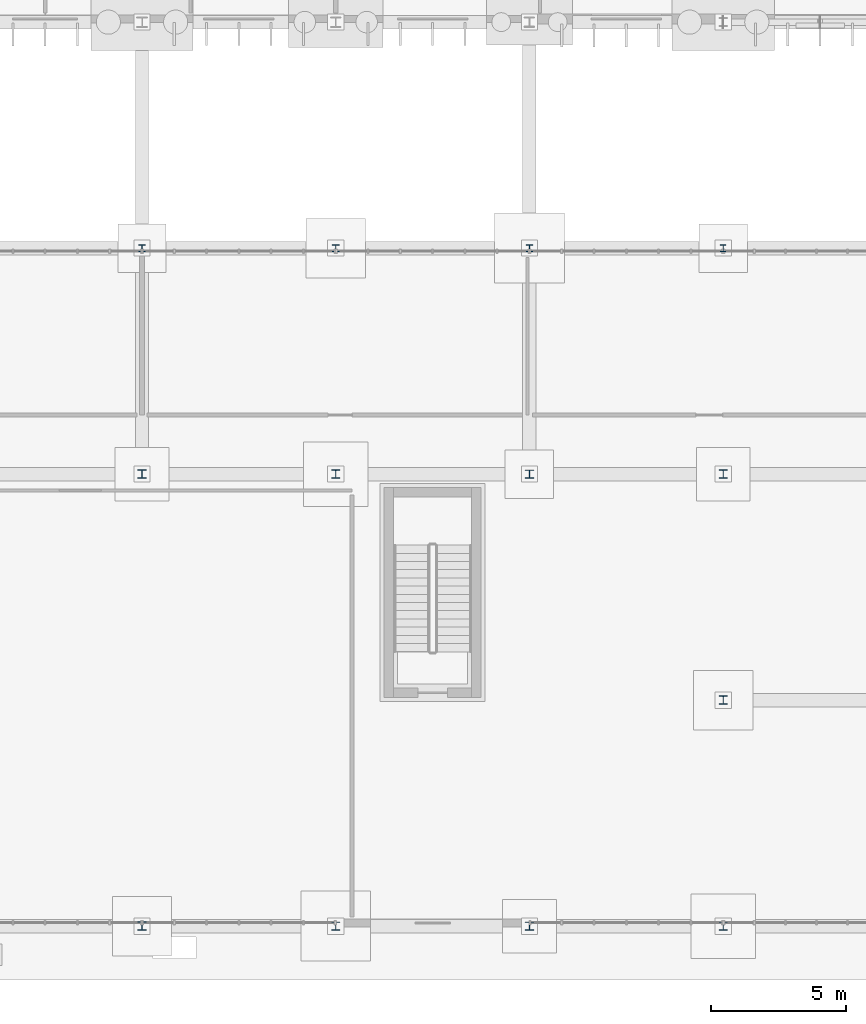
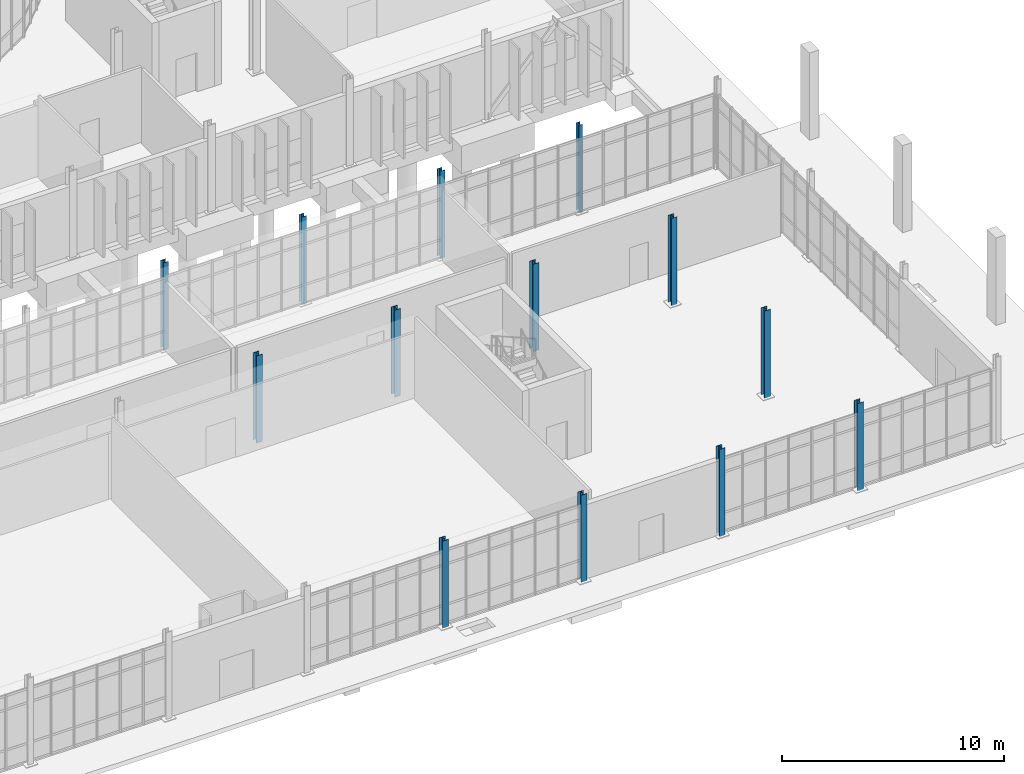
# One storey, part 25 of 118: 13 columns.
"""IFC4 building model written with IfcOpenShell, lengths in metres."""

from ifc_helpers import new_model, si_unit, direction, frame, origin, origin_2d, place, context, subcontext, project, spatial, i_section, extrude, material, material_profile, profile_set, type_object, element, save


model = new_model("IFC4")

# Units and contexts
model_context = context("Model", 3, precision=1e-05, world=origin(), true_north=direction((0.0, 1.0)))
body_context = subcontext(model_context, "Body", "Model", "MODEL_VIEW")
ifc_project = project(units=[si_unit("LENGTHUNIT", "METRE"), si_unit("AREAUNIT", "SQUARE_METRE"), si_unit("VOLUMEUNIT", "CUBIC_METRE"), si_unit("PLANEANGLEUNIT", "RADIAN"), si_unit("MASSUNIT", "GRAM", prefix="KILO")], contexts=[model_context])

# Site, building, storey
site_placement = place(None, origin())
site = spatial("IfcSite", under=ifc_project, at=site_placement, CompositionType="ELEMENT")
building_placement = place(site_placement, origin())
building = spatial("IfcBuilding", under=site, at=building_placement, Name="Qelthora Terrace Specialist Clinic", CompositionType="ELEMENT")
storey_placement = place(building_placement, origin())
storey = spatial("IfcBuildingStorey", under=building, at=storey_placement, Name="L00", CompositionType="ELEMENT", Elevation=0.0)

# Columns
ifc_material = material(Name="Steel S355", Category="steel")
ifc_material_profile_1 = material_profile(ifc_material, i_section(OverallWidth=0.2041015625, OverallDepth=0.257080078125, WebThickness=0.0087890625, FlangeThickness=0.015625, FilletRadius=0.012939453125, at=origin_2d()), Name="W250X67")
ifc_profile_set_1 = profile_set([ifc_material_profile_1], Name="Steel S355")
column_type_1 = type_object("IfcColumnType", Name="COL-W250X67", PredefinedType="COLUMN", material=ifc_profile_set_1)
column_placement = place(storey_placement, frame((151.199951171875, 25.199951171875, 0.0), z_axis=(0.0, 0.0, 1.0), x_axis=(1.0, 0.0, 0.0)))
element("IfcColumn", 1, at=column_placement, inside=storey, type_object=column_type_1, Name="Column L00-239", PredefinedType="COLUMN", context=body_context, shape_type="SweptSolid", body=[
    extrude(i_section(OverallWidth=0.2041015625, OverallDepth=0.257080078125, WebThickness=0.0087890625, FlangeThickness=0.015625, FilletRadius=0.012939453125, at=origin_2d()), origin(), (0.0, 0.0, 1.0), 4.800048828125),
])
ifc_material_profile_2 = material_profile(ifc_material, i_section(OverallWidth=0.2548828125, OverallDepth=0.256103515625, WebThickness=0.009521484375, FlangeThickness=0.015625, FilletRadius=0.012939453125, at=origin_2d()), Name="W250X80")
ifc_profile_set_2 = profile_set([ifc_material_profile_2], Name="Steel S355")
column_type_2 = type_object("IfcColumnType", Name="COL-W250X80", PredefinedType="COLUMN", material=ifc_profile_set_2)
for number, where, z_axis, x_axis, name in (
    (2, (129.60009765625, 25.199951171875, 0.0), (0.0, 0.0, 1.0), (1.0, 0.0, 0.0), "Column L00-209"),
    (3, (136.800048828125, 25.199951171875, 0.0), (0.0, 0.0, 1.0), (1.0, 0.0, 0.0), "Column L00-217"),
    (4, (144.0, 25.199951171875, 0.0), (0.0, 0.0, 1.0), (1.0, 0.0, 0.0), "Column L00-225"),
):
    element("IfcColumn", number, at=place(storey_placement, frame(where, z_axis=z_axis, x_axis=x_axis)), inside=storey, type_object=column_type_2, Name=name, PredefinedType="COLUMN", context=body_context, shape_type="SweptSolid", body=[
        extrude(i_section(OverallWidth=0.2548828125, OverallDepth=0.256103515625, WebThickness=0.009521484375, FlangeThickness=0.015625, FilletRadius=0.012939453125, at=origin_2d()), origin(), (0.0, 0.0, 1.0), 4.800048828125),
    ])
ifc_material_profile_3 = material_profile(ifc_material, i_section(OverallWidth=0.305908203125, OverallDepth=0.31103515625, WebThickness=0.010986328125, FlangeThickness=0.01708984375, FilletRadius=0.014892578125, at=origin_2d()), Name="W310X107")
ifc_profile_set_3 = profile_set([ifc_material_profile_3], Name="Steel S355")
column_type_3 = type_object("IfcColumnType", Name="COL-W310X107", PredefinedType="COLUMN", material=ifc_profile_set_3)
for number, where, z_axis, x_axis, name in (
    (5, (129.60009765625, 16.800048828125, 0.0), (0.0, 0.0, 1.0), (1.0, 0.0, 0.0), "Column L00-208"),
    (6, (144.0, 0.0, 0.0), (0.0, 0.0, 1.0), (1.0, 0.0, 0.0), "Column L00-223"),
    (7, (151.199951171875, 16.800048828125, 0.0), (0.0, 0.0, 1.0), (1.0, 0.0, 0.0), "Column L00-238"),
):
    element("IfcColumn", number, at=place(storey_placement, frame(where, z_axis=z_axis, x_axis=x_axis)), inside=storey, type_object=column_type_3, Name=name, PredefinedType="COLUMN", context=body_context, shape_type="SweptSolid", body=[
        extrude(i_section(OverallWidth=0.305908203125, OverallDepth=0.31103515625, WebThickness=0.010986328125, FlangeThickness=0.01708984375, FilletRadius=0.014892578125, at=origin_2d()), origin(), (0.0, 0.0, 1.0), 4.800048828125),
    ])
ifc_material_profile_4 = material_profile(ifc_material, i_section(OverallWidth=0.306884765625, OverallDepth=0.31396484375, WebThickness=0.011962890625, FlangeThickness=0.018798828125, FilletRadius=0.01611328125, at=origin_2d()), Name="W310X118")
ifc_profile_set_4 = profile_set([ifc_material_profile_4], Name="Steel S355")
column_type_4 = type_object("IfcColumnType", Name="COL-W310X118", PredefinedType="COLUMN", material=ifc_profile_set_4)
for number, where, z_axis, x_axis, name in (
    (8, (129.60009765625, 0.0, 0.0), (0.0, 0.0, 1.0), (1.0, 0.0, 0.0), "Column L00-207"),
    (9, (136.800048828125, 16.800048828125, 0.0), (0.0, 0.0, 1.0), (1.0, 0.0, 0.0), "Column L00-216"),
    (10, (151.199951171875, 8.39990234375, 0.0), (0.0, 0.0, 1.0), (1.0, 0.0, 0.0), "Column L00-237"),
):
    element("IfcColumn", number, at=place(storey_placement, frame(where, z_axis=z_axis, x_axis=x_axis)), inside=storey, type_object=column_type_4, Name=name, PredefinedType="COLUMN", context=body_context, shape_type="SweptSolid", body=[
        extrude(i_section(OverallWidth=0.306884765625, OverallDepth=0.31396484375, WebThickness=0.011962890625, FlangeThickness=0.018798828125, FilletRadius=0.01611328125, at=origin_2d()), origin(), (0.0, 0.0, 1.0), 4.800048828125),
    ])
ifc_material_profile_5 = material_profile(ifc_material, i_section(OverallWidth=0.304931640625, OverallDepth=0.30810546875, WebThickness=0.010009765625, FlangeThickness=0.015380859375, FilletRadius=0.014892578125, at=origin_2d()), Name="W310X97")
ifc_profile_set_5 = profile_set([ifc_material_profile_5], Name="Steel S355")
column_type_5 = type_object("IfcColumnType", Name="COL-W310X97", PredefinedType="COLUMN", material=ifc_profile_set_5)
for number, where, z_axis, x_axis, name in (
    (11, (136.800048828125, 0.0, 0.0), (0.0, 0.0, 1.0), (1.0, 0.0, 0.0), "Column L00-215"),
    (12, (144.0, 16.800048828125, 0.0), (0.0, 0.0, 1.0), (1.0, 0.0, 0.0), "Column L00-224"),
    (13, (151.199951171875, 0.0, 0.0), (0.0, 0.0, 1.0), (1.0, 0.0, 0.0), "Column L00-236"),
):
    element("IfcColumn", number, at=place(storey_placement, frame(where, z_axis=z_axis, x_axis=x_axis)), inside=storey, type_object=column_type_5, Name=name, PredefinedType="COLUMN", context=body_context, shape_type="SweptSolid", body=[
        extrude(i_section(OverallWidth=0.304931640625, OverallDepth=0.30810546875, WebThickness=0.010009765625, FlangeThickness=0.015380859375, FilletRadius=0.014892578125, at=origin_2d()), origin(), (0.0, 0.0, 1.0), 4.800048828125),
    ])

save(model, "model.ifc")
